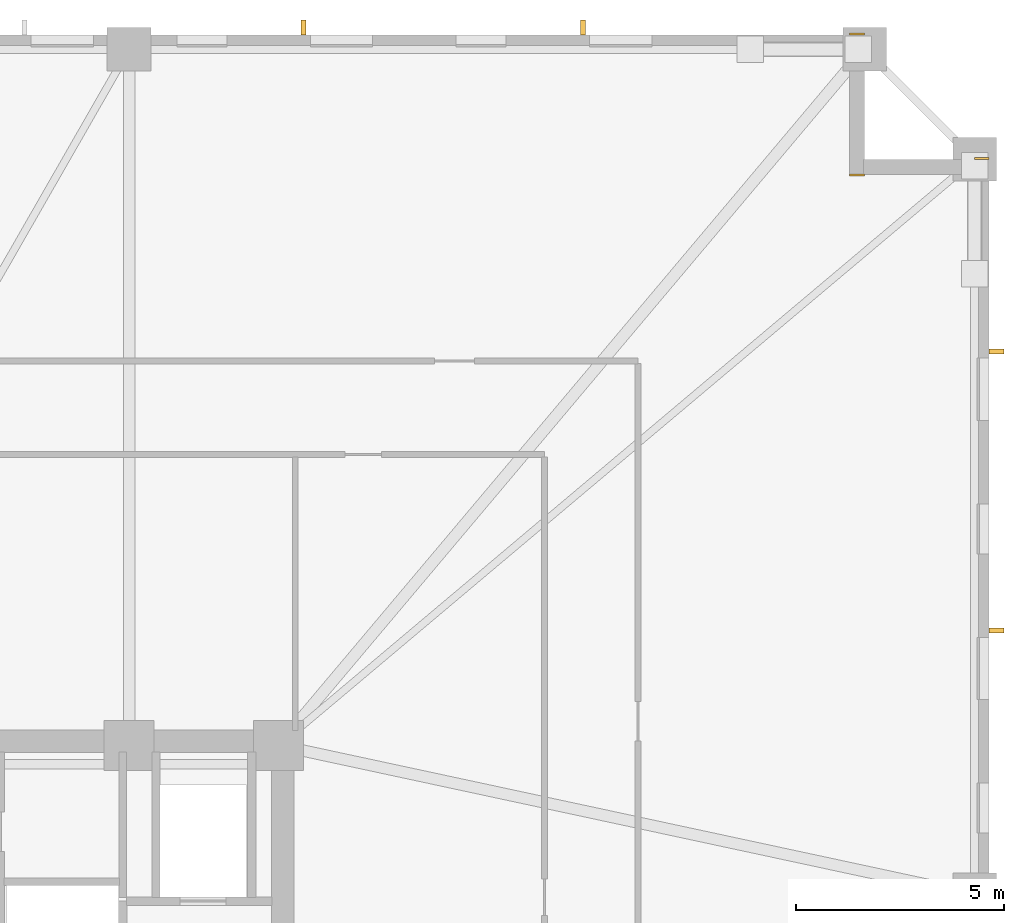
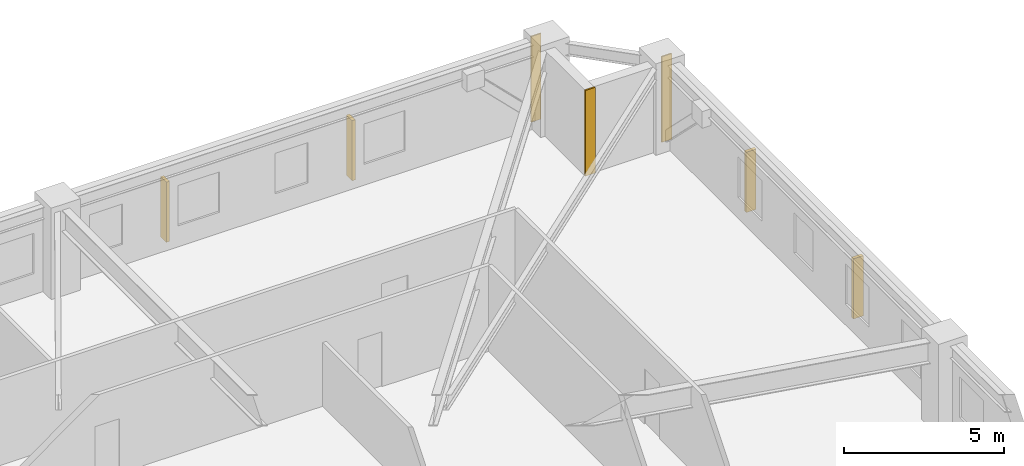
# One storey, part 10 of 10: 4 shading devices, 3 coverings.
"""IFC4 building model written with IfcOpenShell, lengths in metres."""

from ifc_helpers import new_model, si_unit, direction, frame, frame_2d, origin, origin_2d, place, context, subcontext, project, spatial, rectangle, extrude, material, layer, layer_set, type_object, element, save


model = new_model("IFC4")

# Units and contexts
model_context = context("Model", 3, precision=1e-05, world=origin(), true_north=direction((0.0, 1.0)))
body_context = subcontext(model_context, "Body", "Model", "MODEL_VIEW")
ifc_project = project(units=[si_unit("LENGTHUNIT", "METRE"), si_unit("AREAUNIT", "SQUARE_METRE"), si_unit("VOLUMEUNIT", "CUBIC_METRE"), si_unit("PLANEANGLEUNIT", "RADIAN"), si_unit("MASSUNIT", "GRAM", prefix="KILO")], contexts=[model_context])

# Site, building, storey
site_placement = place(None, origin())
site = spatial("IfcSite", under=ifc_project, at=site_placement, CompositionType="ELEMENT")
building_placement = place(site_placement, origin())
building = spatial("IfcBuilding", under=site, at=building_placement, Name="Cairnveth Concourse Tower", CompositionType="ELEMENT")
storey_placement = place(building_placement, frame((0.0, 0.0, 30.5)))
storey = spatial("IfcBuildingStorey", under=building, at=storey_placement, Name="L07", CompositionType="ELEMENT", Elevation=30.5)

# Coverings
ifc_material_1 = material(Name="Dressed Melbourne Bluestone Cladding", Category="masonry")
ifc_layer = layer(ifc_material_1, 0.050048828125)
ifc_layer_set = layer_set([ifc_layer], Name="Dressed Melbourne Bluestone Cladding")
covering_type = type_object("IfcCoveringType", Name="DRESSED BLUESTONE PLINTH CLADDING 50", PredefinedType="CLADDING", material=ifc_layer_set)
for number, where, z_axis, x_axis, name in (
    (1, (74.139892578125, 64.52001953125, 0.0), (0.0, 0.0, 1.0), (1.0, 0.0, 0.0), "Melbourne Bluestone Corner Quoin L07-62"),
    (2, (74.139892578125, 61.1201171875, 0.0), (0.0, 0.0, 1.0), (1.0, 0.0, 0.0), "Melbourne Bluestone Corner Quoin L07-63"),
    (3, (77.139892578125, 61.52001953125, 0.0), (0.0, 0.0, 1.0), (1.0, 0.0, 0.0), "Melbourne Bluestone Corner Quoin L07-64"),
):
    element("IfcCovering", number, at=place(storey_placement, frame(where, z_axis=z_axis, x_axis=x_axis)), inside=storey, type_object=covering_type, Name=name, PredefinedType="CLADDING", context=body_context, shape_type="SweptSolid", body=[
        extrude(rectangle(XDim=0.360107421875, YDim=0.050048828125, at=frame_2d((0.18017578125, 0.0))), origin(), (0.0, 0.0, 1.0), 3.280029296875),
    ])

# Shading devices
ifc_material_2 = material(Name="Architectural Bronze Anodised Aluminium 6063-T6", Category="aluminium")
shading_device_type = type_object("IfcShadingDeviceType", Name="GOTHIC BRONZE VERTICAL LANCET FIN", PredefinedType="USERDEFINED", material=ifc_material_2)
for number, where, z_axis, x_axis, name in (
    (4, (61.00146484375, 64.675048828125, 0.02978515625), (0.0, 0.0, 1.0), (1.0, 0.0, 0.0), "Gothic Bronze Vertical Fin L07-6-9"),
    (5, (67.721923828125, 64.675048828125, 0.02978515625), (0.0, 0.0, 1.0), (1.0, 0.0, 0.0), "Gothic Bronze Vertical Fin L07-6-11"),
    (6, (77.675048828125, 56.8798828125, 0.02978515625), (0.0, 0.0, 1.0), (0.0, 1.0, 0.0), "Gothic Bronze Vertical Fin L07-9-1"),
    (7, (77.675048828125, 50.159423828125, 0.02978515625), (0.0, 0.0, 1.0), (0.0, 1.0, 0.0), "Gothic Bronze Vertical Fin L07-9-3"),
):
    element("IfcShadingDevice", number, at=place(storey_placement, frame(where, z_axis=z_axis, x_axis=x_axis)), inside=storey, type_object=shading_device_type, Name=name, ObjectType="VERTICAL FIN", PredefinedType="USERDEFINED", context=body_context, shape_type="SweptSolid", body=[
        extrude(rectangle(XDim=0.1201171875, YDim=0.360107421875, at=origin_2d()), origin(), (0.0, 0.0, 1.0), 2.303955078125),
    ])

save(model, "model.ifc")
